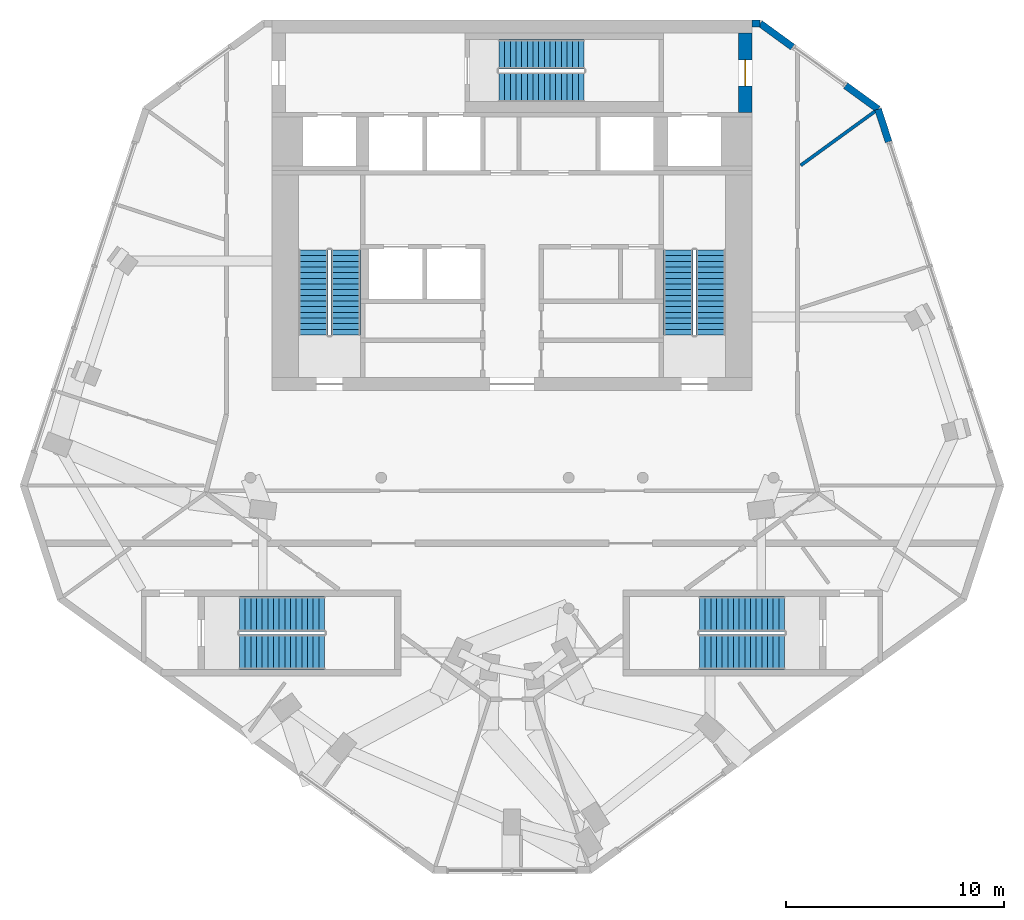
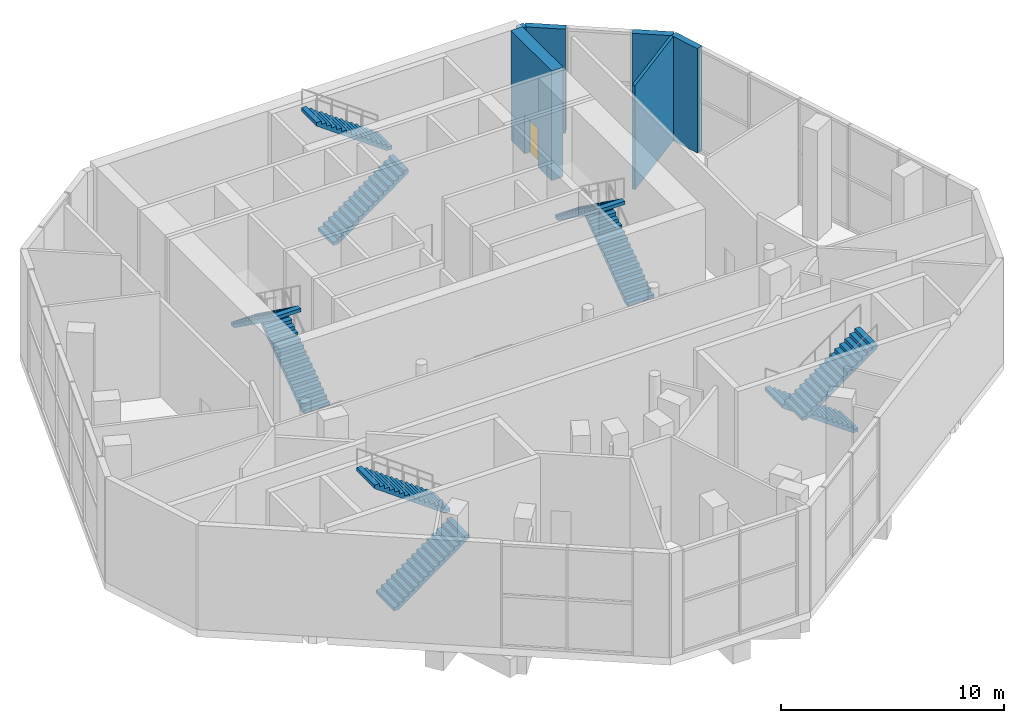
# One storey, part 9 of 11: 10 stair flights, 6 walls, 1 door, 1 opening, 5 elements without a shape of their own.
"""IFC4 building model written with IfcOpenShell, lengths in metres."""

from ifc_helpers import new_model, si_unit, direction, frame, frame_2d, origin, place, context, subcontext, project, spatial, polyline, rectangle, outline, extrude, material, layer, layer_set, type_object, element, fill, aggregate, save


model = new_model("IFC4")

# Units and contexts
model_context = context("Model", 3, precision=1e-05, world=origin(), true_north=direction((0.0, 1.0)))
body_context = subcontext(model_context, "Body", "Model", "MODEL_VIEW")
ifc_project = project(units=[si_unit("LENGTHUNIT", "METRE"), si_unit("AREAUNIT", "SQUARE_METRE"), si_unit("VOLUMEUNIT", "CUBIC_METRE"), si_unit("PLANEANGLEUNIT", "RADIAN"), si_unit("MASSUNIT", "GRAM", prefix="KILO")], contexts=[model_context])

# Site, building, storey
site_placement = place(None, origin())
site = spatial("IfcSite", under=ifc_project, at=site_placement, CompositionType="ELEMENT")
building_placement = place(site_placement, origin())
building = spatial("IfcBuilding", under=site, at=building_placement, Name="White Candle Pilgrim Tower", CompositionType="ELEMENT")
storey_placement = place(building_placement, frame((0.0, 0.0, 300.10009765625)))
storey = spatial("IfcBuildingStorey", under=building, at=storey_placement, Name="L71", CompositionType="ELEMENT", Elevation=300.10009765625)

# Wall, opening, door
ifc_material_1 = material(Name="Concrete C40/50", Category="concrete")
ifc_layer_1 = layer(ifc_material_1, 0.60009765625)
ifc_layer_set_1 = layer_set([ifc_layer_1], Name="Core wall 600 mm Concrete C40/50")
wall_type_1 = type_object("IfcWallType", Name="Core wall 600 mm Concrete C40/50", PredefinedType="SHEAR", material=ifc_layer_set_1)
wall_1_placement = place(storey_placement, frame((80.699951171875, 83.75, 0.0), z_axis=(0.0, 0.0, 1.0), x_axis=(0.0, 1.0, 0.0)))
wall_1 = element("IfcWall", 1, at=wall_1_placement, inside=storey, type_object=wall_type_1, Name="WL-L71-C50", PredefinedType="SHEAR", context=body_context, shape_type="SweptSolid", body=[
    extrude(rectangle(XDim=3.64990234375, YDim=0.60009765625, at=frame_2d((1.824951171875, 0.0))), origin(), (0.0, 0.0, 1.0), 6.0),
])
opening_placement = place(wall_1_placement, frame((1.22509765625, 0.0, 0.0)))
opening = element("IfcOpeningElement", 2, at=opening_placement, cuts=wall_1, Name="Opening L71-010", PredefinedType="OPENING", context=body_context, shape_type="SweptSolid", body=[
    extrude(rectangle(XDim=1.199951171875, YDim=2.10009765625, at=frame_2d((0.60009765625, 1.050048828125))), frame((0.0, 0.31005859375, 0.0), z_axis=(0.0, -1.0, 0.0), x_axis=(1.0, 0.0, 0.0)), (0.0, 0.0, 1.0), 0.6201171875),
])
ifc_material_2 = material(Name="Steel door leaf", Category="steel")
door_type = type_object("IfcDoorType", Name="Fire door 1200 x 2100 EI 30", OperationType="NOTDEFINED", PredefinedType="DOOR", material=ifc_material_2)
door_placement = place(opening_placement, origin())
door = element("IfcDoor", 3, at=door_placement, inside=storey, type_object=door_type, Name="Door L71-010", OperationType="SINGLE_SWING_RIGHT", OverallHeight=2.10009765625, OverallWidth=1.199951171875, PredefinedType="DOOR", context=body_context, shape_type="SweptSolid", body=[
    extrude(rectangle(XDim=1.199951171875, YDim=2.10009765625, at=frame_2d((0.60009765625, 1.050048828125))), frame((0.0, 0.02490234375, 0.0), z_axis=(0.0, -1.0, 0.0), x_axis=(1.0, 0.0, 0.0)), (0.0, 0.0, 1.0), 0.050048828125),
])
fill(opening, door)

# Walls
ifc_material_3 = material(Name="Precast concrete C40/50", Category="concrete")
ifc_layer_2 = layer(ifc_material_3, 0.320068359375)
ifc_layer_set_2 = layer_set([ifc_layer_2], Name="Facade wall EW1 precast concrete C40/50 pier wall with timber-lined reveals")
wall_type_2 = type_object("IfcWallType", Name="Facade wall EW1 precast concrete C40/50 pier wall with timber-lined reveals", PredefinedType="SOLIDWALL", material=ifc_layer_set_2)
wall_2_placement = place(storey_placement, frame((87.2822265625, 82.409423828125, 0.0), z_axis=(0.0, 0.0, 1.0), x_axis=(-0.309068574667, 0.951039755296, 0.0)))
element("IfcWall", 4, at=wall_2_placement, inside=storey, type_object=wall_type_2, Name="Facade wall L71 ENE", PredefinedType="SOLIDWALL", context=body_context, shape_type="SweptSolid", body=[
    extrude(rectangle(XDim=1.577392578125, YDim=0.320068359375, at=frame_2d((0.78857421875, 0.0))), origin(), (0.0, 0.0, 1.0), 5.699951171875),
])
for number, where, z_axis, x_axis, name in (
    (5, (86.794677734375, 83.90966796875, 0.0), (0.0, 0.0, 1.0), (-0.808999469603, 0.587809372315, 0.0), "Facade wall L71 NE chamfer"),
    (6, (82.876220703125, 86.756591796875, 0.0), (0.0, 0.0, 1.0), (-0.808999469603, 0.587809372315, 0.0), "Facade wall L71 NE chamfer"),
):
    element("IfcWall", number, at=place(storey_placement, frame(where, z_axis=z_axis, x_axis=x_axis)), inside=storey, type_object=wall_type_2, Name=name, PredefinedType="SOLIDWALL", context=body_context, shape_type="SweptSolid", body=[
        extrude(rectangle(XDim=1.84326171875, YDim=0.320068359375, at=frame_2d((0.921630859375, 0.0))), origin(), (0.0, 0.0, 1.0), 5.699951171875),
    ])
wall_3_placement = place(storey_placement, frame((81.385009765625, 87.840087890625, 0.0), z_axis=(0.0, 0.0, 1.0), x_axis=(-1.0, 0.0, 0.0)))
element("IfcWall", 7, at=wall_3_placement, inside=storey, type_object=wall_type_2, Name="Facade wall L71 N", PredefinedType="SOLIDWALL", context=body_context, shape_type="SweptSolid", body=[
    extrude(rectangle(XDim=0.385009765625, YDim=0.320068359375, at=frame_2d((0.1923828125, 0.0))), origin(), (0.0, 0.0, 1.0), 5.699951171875),
])
ifc_material_4 = material(Name="Gypsum board on steel studs", Category="steel")
ifc_layer_3 = layer(ifc_material_4, 0.14990234375)
ifc_layer_set_3 = layer_set([ifc_layer_3], Name="Partition 150 mm EI 60")
wall_type_3 = type_object("IfcWallType", Name="Partition 150 mm EI 60", PredefinedType="PARTITIONING", material=ifc_layer_set_3)
wall_4_placement = place(storey_placement, frame((86.65869140625, 83.810791015625, 0.0), z_axis=(0.0, 0.0, 1.0), x_axis=(-0.809028651685, -0.587769207048, 0.0)))
element("IfcWall", 8, at=wall_4_placement, inside=storey, type_object=wall_type_3, Name="WL-L71-P022", PredefinedType="PARTITIONING", context=body_context, shape_type="SweptSolid", body=[
    extrude(rectangle(XDim=4.220458984375, YDim=0.14990234375, at=frame_2d((2.1103515625, 0.0))), origin(), (0.0, 0.0, 1.0), 5.699951171875),
])

# Stair, stair flights
stair_type_1 = type_object("IfcStairType", Name="Exit stair 1 flight width 1350 mm", PredefinedType="HALF_TURN_STAIR", material=ifc_material_1)
stair_1_placement = place(storey_placement, origin())
stair_1 = element("IfcStair", 9, at=stair_1_placement, inside=storey, type_object=stair_type_1, Name="L71 stair 1", PredefinedType="NOTDEFINED")
ifc_layer_4 = layer(ifc_material_1, 0.14990234375)
ifc_layer_set_4 = layer_set([ifc_layer_4], Name="Stair flight Concrete C40/50")
stair_flight_type = type_object("IfcStairFlightType", Name="Stair flight Concrete C40/50", PredefinedType="STRAIGHT", material=ifc_layer_set_4)
stair_flight_1_placement = place(storey_placement, frame((62.375, 73.550048828125, 0.0), z_axis=(0.0, 0.0, 1.0), x_axis=(0.0, 1.0, 0.0)))
stair_flight_1 = element("IfcStairFlight", 10, at=stair_flight_1_placement, type_object=stair_flight_type, Name="ST1 flight 1", NumberOfRisers=16, NumberOfTreads=15, PredefinedType="NOTDEFINED", RiserHeight=0.1875, TreadLength=0.26, context=body_context, shape_type="SweptSolid", body=[
    extrude(outline(polyline([(0.0, 0.0), (0.0, 0.1875), (0.260009765625, 0.1875), (0.260009765625, 0.375), (0.52001953125, 0.375), (0.52001953125, 0.5625), (0.780029296875, 0.5625), (0.780029296875, 0.75), (1.0400390625, 0.75), (1.0400390625, 0.9375), (1.300048828125, 0.9375), (1.300048828125, 1.125), (1.56005859375, 1.125), (1.56005859375, 1.3125), (1.820068359375, 1.3125), (1.820068359375, 1.5), (2.080078125, 1.5), (2.080078125, 1.6875), (2.340087890625, 1.6875), (2.340087890625, 1.875), (2.60009765625, 1.875), (2.60009765625, 2.0625), (2.860107421875, 2.0625), (2.860107421875, 2.25), (3.1201171875, 2.25), (3.1201171875, 2.4375), (3.3798828125, 2.4375), (3.3798828125, 2.625), (3.639892578125, 2.625), (3.639892578125, 2.8125), (3.89990234375, 2.8125), (3.89990234375, 3.0), (3.89990234375, 2.627685546875), (0.25634765625, 0.0), (0.0, 0.0)])), frame((0.0, 0.675048828125, 0.0), z_axis=(0.0, -1.0, 0.0), x_axis=(1.0, 0.0, 0.0)), (0.0, 0.0, 1.0), 1.35009765625),
])
stair_flight_2_placement = place(storey_placement, frame((60.875, 77.449951171875, 3.0), z_axis=(0.0, 0.0, 1.0), x_axis=(0.0, -1.0, 0.0)))
stair_flight_2 = element("IfcStairFlight", 11, at=stair_flight_2_placement, type_object=stair_flight_type, Name="ST1 flight 2", NumberOfRisers=16, NumberOfTreads=15, PredefinedType="NOTDEFINED", RiserHeight=0.1875, TreadLength=0.26, context=body_context, shape_type="SweptSolid", body=[
    extrude(outline(polyline([(0.0, 0.0), (0.0, 0.1875), (0.260009765625, 0.1875), (0.260009765625, 0.375), (0.52001953125, 0.375), (0.52001953125, 0.5625), (0.780029296875, 0.5625), (0.780029296875, 0.75), (1.0400390625, 0.75), (1.0400390625, 0.9375), (1.300048828125, 0.9375), (1.300048828125, 1.125), (1.56005859375, 1.125), (1.56005859375, 1.3125), (1.820068359375, 1.3125), (1.820068359375, 1.5), (2.080078125, 1.5), (2.080078125, 1.6875), (2.340087890625, 1.6875), (2.340087890625, 1.875), (2.60009765625, 1.875), (2.60009765625, 2.0625), (2.860107421875, 2.0625), (2.860107421875, 2.25), (3.1201171875, 2.25), (3.1201171875, 2.4375), (3.3798828125, 2.4375), (3.3798828125, 2.625), (3.639892578125, 2.625), (3.639892578125, 2.8125), (3.89990234375, 2.8125), (3.89990234375, 3.0), (3.89990234375, 2.627685546875), (0.25634765625, 0.0), (0.0, 0.0)])), frame((0.0, 0.675048828125, 0.0), z_axis=(0.0, -1.0, 0.0), x_axis=(1.0, 0.0, 0.0)), (0.0, 0.0, 1.0), 1.35009765625),
])
aggregate(stair_1, [stair_flight_1, stair_flight_2])

stair_type_2 = type_object("IfcStairType", Name="Exit stair 2 flight width 1350 mm", PredefinedType="HALF_TURN_STAIR", material=ifc_material_1)
stair_2_placement = place(storey_placement, origin())
stair_2 = element("IfcStair", 12, at=stair_2_placement, inside=storey, type_object=stair_type_2, Name="L71 stair 2", PredefinedType="NOTDEFINED")
stair_flight_3_placement = place(storey_placement, frame((79.125, 73.550048828125, 0.0), z_axis=(0.0, 0.0, 1.0), x_axis=(0.0, 1.0, 0.0)))
stair_flight_3 = element("IfcStairFlight", 13, at=stair_flight_3_placement, type_object=stair_flight_type, Name="ST2 flight 1", NumberOfRisers=16, NumberOfTreads=15, PredefinedType="NOTDEFINED", RiserHeight=0.1875, TreadLength=0.26, context=body_context, shape_type="SweptSolid", body=[
    extrude(outline(polyline([(0.0, 0.0), (0.0, 0.1875), (0.260009765625, 0.1875), (0.260009765625, 0.375), (0.52001953125, 0.375), (0.52001953125, 0.5625), (0.780029296875, 0.5625), (0.780029296875, 0.75), (1.0400390625, 0.75), (1.0400390625, 0.9375), (1.300048828125, 0.9375), (1.300048828125, 1.125), (1.56005859375, 1.125), (1.56005859375, 1.3125), (1.820068359375, 1.3125), (1.820068359375, 1.5), (2.080078125, 1.5), (2.080078125, 1.6875), (2.340087890625, 1.6875), (2.340087890625, 1.875), (2.60009765625, 1.875), (2.60009765625, 2.0625), (2.860107421875, 2.0625), (2.860107421875, 2.25), (3.1201171875, 2.25), (3.1201171875, 2.4375), (3.3798828125, 2.4375), (3.3798828125, 2.625), (3.639892578125, 2.625), (3.639892578125, 2.8125), (3.89990234375, 2.8125), (3.89990234375, 3.0), (3.89990234375, 2.627685546875), (0.25634765625, 0.0), (0.0, 0.0)])), frame((0.0, 0.675048828125, 0.0), z_axis=(0.0, -1.0, 0.0), x_axis=(1.0, 0.0, 0.0)), (0.0, 0.0, 1.0), 1.35009765625),
])
stair_flight_4_placement = place(storey_placement, frame((77.625, 77.449951171875, 3.0), z_axis=(0.0, 0.0, 1.0), x_axis=(0.0, -1.0, 0.0)))
stair_flight_4 = element("IfcStairFlight", 14, at=stair_flight_4_placement, type_object=stair_flight_type, Name="ST2 flight 2", NumberOfRisers=16, NumberOfTreads=15, PredefinedType="NOTDEFINED", RiserHeight=0.1875, TreadLength=0.26, context=body_context, shape_type="SweptSolid", body=[
    extrude(outline(polyline([(0.0, 0.0), (0.0, 0.1875), (0.260009765625, 0.1875), (0.260009765625, 0.375), (0.52001953125, 0.375), (0.52001953125, 0.5625), (0.780029296875, 0.5625), (0.780029296875, 0.75), (1.0400390625, 0.75), (1.0400390625, 0.9375), (1.300048828125, 0.9375), (1.300048828125, 1.125), (1.56005859375, 1.125), (1.56005859375, 1.3125), (1.820068359375, 1.3125), (1.820068359375, 1.5), (2.080078125, 1.5), (2.080078125, 1.6875), (2.340087890625, 1.6875), (2.340087890625, 1.875), (2.60009765625, 1.875), (2.60009765625, 2.0625), (2.860107421875, 2.0625), (2.860107421875, 2.25), (3.1201171875, 2.25), (3.1201171875, 2.4375), (3.3798828125, 2.4375), (3.3798828125, 2.625), (3.639892578125, 2.625), (3.639892578125, 2.8125), (3.89990234375, 2.8125), (3.89990234375, 3.0), (3.89990234375, 2.627685546875), (0.25634765625, 0.0), (0.0, 0.0)])), frame((0.0, 0.675048828125, 0.0), z_axis=(0.0, -1.0, 0.0), x_axis=(1.0, 0.0, 0.0)), (0.0, 0.0, 1.0), 1.35009765625),
])
aggregate(stair_2, [stair_flight_3, stair_flight_4])

stair_type_3 = type_object("IfcStairType", Name="Exit stair 3 flight width 1350 mm", PredefinedType="HALF_TURN_STAIR", material=ifc_material_1)
stair_3_placement = place(storey_placement, origin())
stair_3 = element("IfcStair", 15, at=stair_3_placement, inside=storey, type_object=stair_type_3, Name="L71 stair 3", PredefinedType="NOTDEFINED")
stair_flight_5_placement = place(storey_placement, frame((69.39990234375, 84.925048828125, 0.0), z_axis=(0.0, 0.0, 1.0), x_axis=(1.0, 0.0, 0.0)))
stair_flight_5 = element("IfcStairFlight", 16, at=stair_flight_5_placement, type_object=stair_flight_type, Name="ST3 flight 1", NumberOfRisers=16, NumberOfTreads=15, PredefinedType="NOTDEFINED", RiserHeight=0.1875, TreadLength=0.26, context=body_context, shape_type="SweptSolid", body=[
    extrude(outline(polyline([(0.0, 0.0), (0.0, 0.1875), (0.260009765625, 0.1875), (0.260009765625, 0.375), (0.52001953125, 0.375), (0.52001953125, 0.5625), (0.780029296875, 0.5625), (0.780029296875, 0.75), (1.0400390625, 0.75), (1.0400390625, 0.9375), (1.300048828125, 0.9375), (1.300048828125, 1.125), (1.56005859375, 1.125), (1.56005859375, 1.3125), (1.820068359375, 1.3125), (1.820068359375, 1.5), (2.080078125, 1.5), (2.080078125, 1.6875), (2.340087890625, 1.6875), (2.340087890625, 1.875), (2.60009765625, 1.875), (2.60009765625, 2.0625), (2.860107421875, 2.0625), (2.860107421875, 2.25), (3.1201171875, 2.25), (3.1201171875, 2.4375), (3.3798828125, 2.4375), (3.3798828125, 2.625), (3.639892578125, 2.625), (3.639892578125, 2.8125), (3.89990234375, 2.8125), (3.89990234375, 3.0), (3.89990234375, 2.627685546875), (0.25634765625, 0.0), (0.0, 0.0)])), frame((0.0, 0.675048828125, 0.0), z_axis=(0.0, -1.0, 0.0), x_axis=(1.0, 0.0, 0.0)), (0.0, 0.0, 1.0), 1.35009765625),
])
stair_flight_6_placement = place(storey_placement, frame((73.300048828125, 86.425048828125, 3.0), z_axis=(0.0, 0.0, 1.0), x_axis=(-1.0, 0.0, 0.0)))
stair_flight_6 = element("IfcStairFlight", 17, at=stair_flight_6_placement, type_object=stair_flight_type, Name="ST3 flight 2", NumberOfRisers=16, NumberOfTreads=15, PredefinedType="NOTDEFINED", RiserHeight=0.1875, TreadLength=0.26, context=body_context, shape_type="SweptSolid", body=[
    extrude(outline(polyline([(0.0, 0.0), (0.0, 0.1875), (0.260009765625, 0.1875), (0.260009765625, 0.375), (0.52001953125, 0.375), (0.52001953125, 0.5625), (0.780029296875, 0.5625), (0.780029296875, 0.75), (1.0400390625, 0.75), (1.0400390625, 0.9375), (1.300048828125, 0.9375), (1.300048828125, 1.125), (1.56005859375, 1.125), (1.56005859375, 1.3125), (1.820068359375, 1.3125), (1.820068359375, 1.5), (2.080078125, 1.5), (2.080078125, 1.6875), (2.340087890625, 1.6875), (2.340087890625, 1.875), (2.60009765625, 1.875), (2.60009765625, 2.0625), (2.860107421875, 2.0625), (2.860107421875, 2.25), (3.1201171875, 2.25), (3.1201171875, 2.4375), (3.3798828125, 2.4375), (3.3798828125, 2.625), (3.639892578125, 2.625), (3.639892578125, 2.8125), (3.89990234375, 2.8125), (3.89990234375, 3.0), (3.89990234375, 2.627685546875), (0.25634765625, 0.0), (0.0, 0.0)])), frame((0.0, 0.675048828125, 0.0), z_axis=(0.0, -1.0, 0.0), x_axis=(1.0, 0.0, 0.0)), (0.0, 0.0, 1.0), 1.35009765625),
])
aggregate(stair_3, [stair_flight_5, stair_flight_6])

stair_type_4 = type_object("IfcStairType", Name="Exit stair 4 flight width 1600 mm", PredefinedType="HALF_TURN_STAIR", material=ifc_material_1)
stair_4_placement = place(storey_placement, origin())
stair_4 = element("IfcStair", 18, at=stair_4_placement, inside=storey, type_object=stair_type_4, Name="L71 stair 4", PredefinedType="NOTDEFINED")
stair_flight_7_placement = place(storey_placement, frame((82.5, 60.75, 0.0), z_axis=(0.0, 0.0, 1.0), x_axis=(-1.0, 0.0, 0.0)))
stair_flight_7 = element("IfcStairFlight", 19, at=stair_flight_7_placement, type_object=stair_flight_type, Name="ST4 flight 1", NumberOfRisers=16, NumberOfTreads=15, PredefinedType="NOTDEFINED", RiserHeight=0.1875, TreadLength=0.26, context=body_context, shape_type="SweptSolid", body=[
    extrude(outline(polyline([(0.0, 0.0), (0.0, 0.1875), (0.260009765625, 0.1875), (0.260009765625, 0.375), (0.52001953125, 0.375), (0.52001953125, 0.5625), (0.780029296875, 0.5625), (0.780029296875, 0.75), (1.0400390625, 0.75), (1.0400390625, 0.9375), (1.300048828125, 0.9375), (1.300048828125, 1.125), (1.56005859375, 1.125), (1.56005859375, 1.3125), (1.820068359375, 1.3125), (1.820068359375, 1.5), (2.080078125, 1.5), (2.080078125, 1.6875), (2.340087890625, 1.6875), (2.340087890625, 1.875), (2.60009765625, 1.875), (2.60009765625, 2.0625), (2.860107421875, 2.0625), (2.860107421875, 2.25), (3.1201171875, 2.25), (3.1201171875, 2.4375), (3.3798828125, 2.4375), (3.3798828125, 2.625), (3.639892578125, 2.625), (3.639892578125, 2.8125), (3.89990234375, 2.8125), (3.89990234375, 3.0), (3.89990234375, 2.627685546875), (0.25634765625, 0.0), (0.0, 0.0)])), frame((0.0, 0.800048828125, 0.0), z_axis=(0.0, -1.0, 0.0), x_axis=(1.0, 0.0, 0.0)), (0.0, 0.0, 1.0), 1.60009765625),
])
stair_flight_8_placement = place(storey_placement, frame((78.60009765625, 59.0, 3.0), z_axis=(0.0, 0.0, 1.0), x_axis=(1.0, 0.0, 0.0)))
stair_flight_8 = element("IfcStairFlight", 20, at=stair_flight_8_placement, type_object=stair_flight_type, Name="ST4 flight 2", NumberOfRisers=16, NumberOfTreads=15, PredefinedType="NOTDEFINED", RiserHeight=0.1875, TreadLength=0.26, context=body_context, shape_type="SweptSolid", body=[
    extrude(outline(polyline([(0.0, 0.0), (0.0, 0.1875), (0.260009765625, 0.1875), (0.260009765625, 0.375), (0.52001953125, 0.375), (0.52001953125, 0.5625), (0.780029296875, 0.5625), (0.780029296875, 0.75), (1.0400390625, 0.75), (1.0400390625, 0.9375), (1.300048828125, 0.9375), (1.300048828125, 1.125), (1.56005859375, 1.125), (1.56005859375, 1.3125), (1.820068359375, 1.3125), (1.820068359375, 1.5), (2.080078125, 1.5), (2.080078125, 1.6875), (2.340087890625, 1.6875), (2.340087890625, 1.875), (2.60009765625, 1.875), (2.60009765625, 2.0625), (2.860107421875, 2.0625), (2.860107421875, 2.25), (3.1201171875, 2.25), (3.1201171875, 2.4375), (3.3798828125, 2.4375), (3.3798828125, 2.625), (3.639892578125, 2.625), (3.639892578125, 2.8125), (3.89990234375, 2.8125), (3.89990234375, 3.0), (3.89990234375, 2.627685546875), (0.25634765625, 0.0), (0.0, 0.0)])), frame((0.0, 0.800048828125, 0.0), z_axis=(0.0, -1.0, 0.0), x_axis=(1.0, 0.0, 0.0)), (0.0, 0.0, 1.0), 1.60009765625),
])
aggregate(stair_4, [stair_flight_7, stair_flight_8])

stair_type_5 = type_object("IfcStairType", Name="Exit stair 5 flight width 1600 mm", PredefinedType="HALF_TURN_STAIR", material=ifc_material_1)
stair_5_placement = place(storey_placement, origin())
stair_5 = element("IfcStair", 21, at=stair_5_placement, inside=storey, type_object=stair_type_5, Name="L71 stair 5", PredefinedType="NOTDEFINED")
stair_flight_9_placement = place(storey_placement, frame((57.5, 59.0, 0.0), z_axis=(0.0, 0.0, 1.0), x_axis=(1.0, 0.0, 0.0)))
stair_flight_9 = element("IfcStairFlight", 22, at=stair_flight_9_placement, type_object=stair_flight_type, Name="ST5 flight 1", NumberOfRisers=16, NumberOfTreads=15, PredefinedType="NOTDEFINED", RiserHeight=0.1875, TreadLength=0.26, context=body_context, shape_type="SweptSolid", body=[
    extrude(outline(polyline([(0.0, 0.0), (0.0, 0.1875), (0.260009765625, 0.1875), (0.260009765625, 0.375), (0.52001953125, 0.375), (0.52001953125, 0.5625), (0.780029296875, 0.5625), (0.780029296875, 0.75), (1.0400390625, 0.75), (1.0400390625, 0.9375), (1.300048828125, 0.9375), (1.300048828125, 1.125), (1.56005859375, 1.125), (1.56005859375, 1.3125), (1.820068359375, 1.3125), (1.820068359375, 1.5), (2.080078125, 1.5), (2.080078125, 1.6875), (2.340087890625, 1.6875), (2.340087890625, 1.875), (2.60009765625, 1.875), (2.60009765625, 2.0625), (2.860107421875, 2.0625), (2.860107421875, 2.25), (3.1201171875, 2.25), (3.1201171875, 2.4375), (3.3798828125, 2.4375), (3.3798828125, 2.625), (3.639892578125, 2.625), (3.639892578125, 2.8125), (3.89990234375, 2.8125), (3.89990234375, 3.0), (3.89990234375, 2.627685546875), (0.25634765625, 0.0), (0.0, 0.0)])), frame((0.0, 0.800048828125, 0.0), z_axis=(0.0, -1.0, 0.0), x_axis=(1.0, 0.0, 0.0)), (0.0, 0.0, 1.0), 1.60009765625),
])
stair_flight_10_placement = place(storey_placement, frame((61.39990234375, 60.75, 3.0), z_axis=(0.0, 0.0, 1.0), x_axis=(-1.0, 0.0, 0.0)))
stair_flight_10 = element("IfcStairFlight", 23, at=stair_flight_10_placement, type_object=stair_flight_type, Name="ST5 flight 2", NumberOfRisers=16, NumberOfTreads=15, PredefinedType="NOTDEFINED", RiserHeight=0.1875, TreadLength=0.26, context=body_context, shape_type="SweptSolid", body=[
    extrude(outline(polyline([(0.0, 0.0), (0.0, 0.1875), (0.260009765625, 0.1875), (0.260009765625, 0.375), (0.52001953125, 0.375), (0.52001953125, 0.5625), (0.780029296875, 0.5625), (0.780029296875, 0.75), (1.0400390625, 0.75), (1.0400390625, 0.9375), (1.300048828125, 0.9375), (1.300048828125, 1.125), (1.56005859375, 1.125), (1.56005859375, 1.3125), (1.820068359375, 1.3125), (1.820068359375, 1.5), (2.080078125, 1.5), (2.080078125, 1.6875), (2.340087890625, 1.6875), (2.340087890625, 1.875), (2.60009765625, 1.875), (2.60009765625, 2.0625), (2.860107421875, 2.0625), (2.860107421875, 2.25), (3.1201171875, 2.25), (3.1201171875, 2.4375), (3.3798828125, 2.4375), (3.3798828125, 2.625), (3.639892578125, 2.625), (3.639892578125, 2.8125), (3.89990234375, 2.8125), (3.89990234375, 3.0), (3.89990234375, 2.627685546875), (0.25634765625, 0.0), (0.0, 0.0)])), frame((0.0, 0.800048828125, 0.0), z_axis=(0.0, -1.0, 0.0), x_axis=(1.0, 0.0, 0.0)), (0.0, 0.0, 1.0), 1.60009765625),
])
aggregate(stair_5, [stair_flight_9, stair_flight_10])

save(model, "model.ifc")
